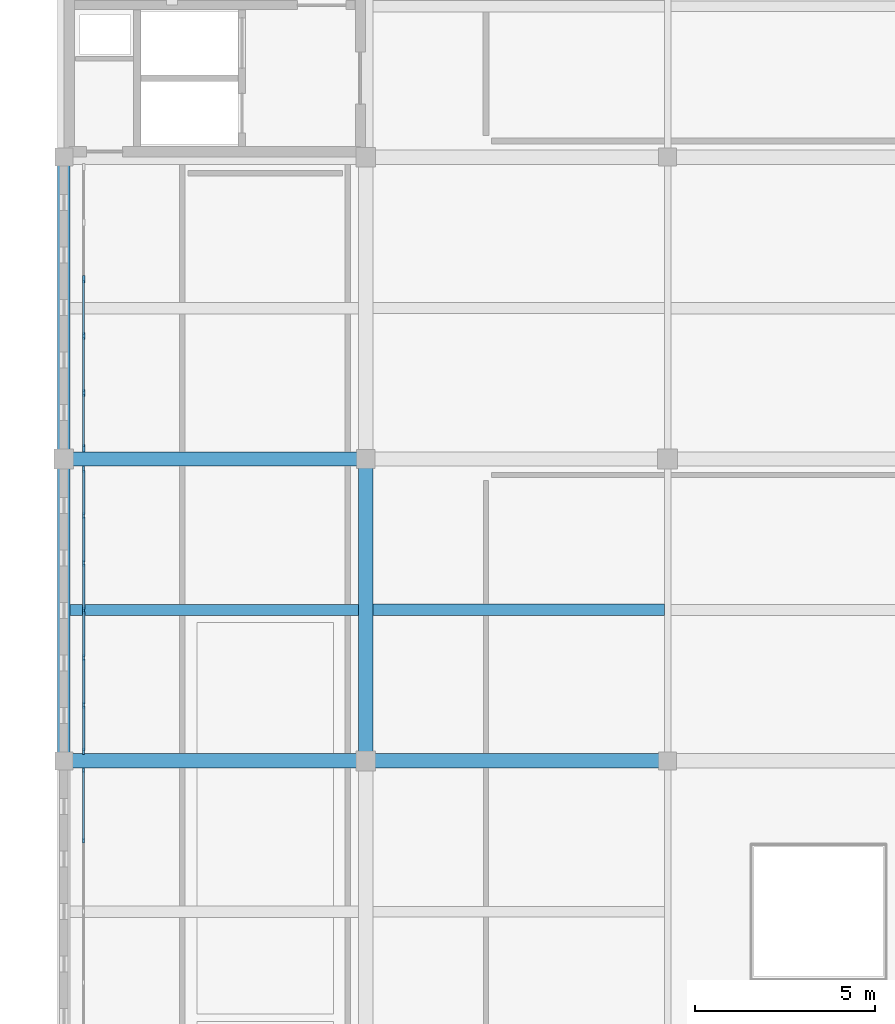
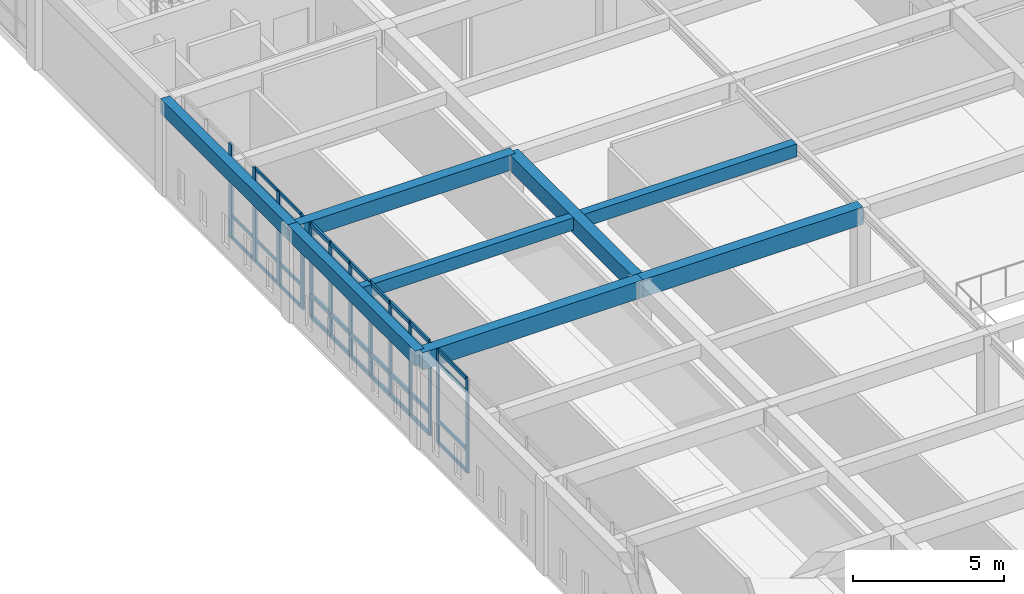
# One storey, part 10 of 36: 52 members, 8 beams, 3 elements without a shape of their own.
"""IFC4 building model written with IfcOpenShell, lengths in metres."""

from ifc_helpers import new_model, si_unit, direction, frame, origin, origin_2d, place, context, subcontext, project, spatial, rectangle, extrude, material, layer, layer_set, material_profile, profile_set, type_object, element, aggregate, save


model = new_model("IFC4")

# Units and contexts
model_context = context("Model", 3, precision=1e-05, world=origin(), true_north=direction((0.0, 1.0)))
body_context = subcontext(model_context, "Body", "Model", "MODEL_VIEW")
ifc_project = project(units=[si_unit("LENGTHUNIT", "METRE"), si_unit("AREAUNIT", "SQUARE_METRE"), si_unit("VOLUMEUNIT", "CUBIC_METRE"), si_unit("PLANEANGLEUNIT", "RADIAN"), si_unit("MASSUNIT", "GRAM", prefix="KILO")], contexts=[model_context])

# Site, building, storey
site_placement = place(None, origin())
site = spatial("IfcSite", under=ifc_project, at=site_placement, CompositionType="ELEMENT")
building_placement = place(site_placement, origin())
building = spatial("IfcBuilding", under=site, at=building_placement, Name="Kveldsbrygga Polytechnic", CompositionType="ELEMENT")
storey_placement = place(building_placement, frame((0.0, 0.0, 22.10009765625)))
storey = spatial("IfcBuildingStorey", under=building, at=storey_placement, Name="L05", CompositionType="ELEMENT", Elevation=22.10009765625)

# Beams
ifc_material_1 = material(Name="Concrete C35/45", Category="concrete")
ifc_material_profile_1 = material_profile(ifc_material_1, rectangle(XDim=0.3798828125, YDim=0.6201171875, at=origin_2d()), Name="RC 380x620")
ifc_profile_set_1 = profile_set([ifc_material_profile_1], Name="Concrete C35/45")
beam_type_1 = type_object("IfcBeamType", Name="BM-RC-380x620", PredefinedType="BEAM", material=ifc_profile_set_1)
beam_1_placement = place(storey_placement, frame((126.0, 75.60009765625, 3.469970703125), z_axis=(1.0, 0.0, 0.0), x_axis=(0.0, 1.0, 0.0)))
element("IfcBeam", 1, at=beam_1_placement, inside=storey, type_object=beam_type_1, Name="Primary Beam BMX-L05-15to16-09", PredefinedType="BEAM", context=body_context, shape_type="SweptSolid", body=[
    extrude(rectangle(XDim=0.3798828125, YDim=0.6201171875, at=origin_2d()), origin(), (0.0, 0.0, 1.0), 8.39990234375),
])
ifc_material_profile_2 = material_profile(ifc_material_1, rectangle(XDim=0.39990234375, YDim=0.64990234375, at=origin_2d()), Name="RC 400x650")
ifc_profile_set_2 = profile_set([ifc_material_profile_2], Name="Concrete C35/45")
beam_type_2 = type_object("IfcBeamType", Name="BM-RC-400x650", PredefinedType="BEAM", material=ifc_profile_set_2)
beam_2_placement = place(storey_placement, frame((134.39990234375, 67.199951171875, 3.454833984375), z_axis=(0.0, 1.0, 0.0), x_axis=(-1.0, 0.0, 0.0)))
element("IfcBeam", 2, at=beam_2_placement, inside=storey, type_object=beam_type_2, Name="Primary Beam BMY-L05-16-08to09", PredefinedType="BEAM", context=body_context, shape_type="SweptSolid", body=[
    extrude(rectangle(XDim=0.39990234375, YDim=0.64990234375, at=origin_2d()), origin(), (0.0, 0.0, 1.0), 8.400146484375),
])
ifc_material_profile_3 = material_profile(ifc_material_1, rectangle(XDim=0.39990234375, YDim=0.699951171875, at=origin_2d()), Name="RC 400x700")
ifc_profile_set_3 = profile_set([ifc_material_profile_3], Name="Concrete C35/45")
beam_type_3 = type_object("IfcBeamType", Name="BM-RC-400x700", PredefinedType="BEAM", material=ifc_profile_set_3)
beam_3_placement = place(storey_placement, frame((126.0, 67.199951171875, 3.429931640625), z_axis=(1.0, 0.0, 0.0), x_axis=(0.0, 1.0, 0.0)))
element("IfcBeam", 3, at=beam_3_placement, inside=storey, type_object=beam_type_3, Name="Primary Beam BMX-L05-15to16-08", PredefinedType="BEAM", context=body_context, shape_type="SweptSolid", body=[
    extrude(rectangle(XDim=0.39990234375, YDim=0.699951171875, at=origin_2d()), origin(), (0.0, 0.0, 1.0), 8.39990234375),
])
beam_4_placement = place(storey_placement, frame((134.39990234375, 67.199951171875, 3.429931640625), z_axis=(1.0, 0.0, 0.0), x_axis=(0.0, 1.0, 0.0)))
element("IfcBeam", 4, at=beam_4_placement, inside=storey, type_object=beam_type_3, Name="Primary Beam BMX-L05-16to17-08", PredefinedType="BEAM", context=body_context, shape_type="SweptSolid", body=[
    extrude(rectangle(XDim=0.39990234375, YDim=0.699951171875, at=origin_2d()), origin(), (0.0, 0.0, 1.0), 8.400146484375),
])
ifc_material_profile_4 = material_profile(ifc_material_1, rectangle(XDim=0.35009765625, YDim=0.60009765625, at=origin_2d()), Name="RC 350x600")
ifc_profile_set_4 = profile_set([ifc_material_profile_4], Name="Concrete C35/45")
beam_type_4 = type_object("IfcBeamType", Name="BM-SPANDREL-600", PredefinedType="T_BEAM", material=ifc_profile_set_4)
beam_5_placement = place(storey_placement, frame((126.0, 67.199951171875, 3.47998046875), z_axis=(0.0, 1.0, 0.0), x_axis=(-1.0, 0.0, 0.0)))
element("IfcBeam", 5, at=beam_5_placement, inside=storey, type_object=beam_type_4, Name="Primary Beam BMY-L05-15-08to09", PredefinedType="T_BEAM", context=body_context, shape_type="SweptSolid", body=[
    extrude(rectangle(XDim=0.35009765625, YDim=0.60009765625, at=origin_2d()), origin(), (0.0, 0.0, 1.0), 8.400146484375),
])
beam_6_placement = place(storey_placement, frame((126.0, 75.60009765625, 3.47998046875), z_axis=(0.0, 1.0, 0.0), x_axis=(-1.0, 0.0, 0.0)))
element("IfcBeam", 6, at=beam_6_placement, inside=storey, type_object=beam_type_4, Name="Primary Beam BMY-L05-15-09to10", PredefinedType="T_BEAM", context=body_context, shape_type="SweptSolid", body=[
    extrude(rectangle(XDim=0.35009765625, YDim=0.60009765625, at=origin_2d()), origin(), (0.0, 0.0, 1.0), 8.39990234375),
])

# Curtain wall, members
ifc_material_2 = material(Name="Anodised aluminium AW-6060", Category="aluminium")
ifc_layer_1 = layer(ifc_material_2, 0.199951171875)
ifc_layer_set_1 = layer_set([ifc_layer_1], Name="Anodised aluminium AW-6060")
curtain_wall_type_1 = type_object("IfcCurtainWallType", Name="CW-LANC-E", PredefinedType="USERDEFINED", material=ifc_layer_set_1)
curtain_wall_1_placement = place(storey_placement, origin())
curtain_wall_1 = element("IfcCurtainWall", 7, at=curtain_wall_1_placement, inside=storey, type_object=curtain_wall_type_1, Name="Curtain Wall CW-L05-Y-15-07", ObjectType="UNITISED CURTAIN WALL", PredefinedType="USERDEFINED")
ifc_material_profile_5 = material_profile(ifc_material_2, rectangle(XDim=0.06005859375, YDim=0.139892578125, at=origin_2d()), Name="ALU 60x140")
ifc_profile_set_5 = profile_set([ifc_material_profile_5], Name="Anodised aluminium AW-6060")
member_type_1 = type_object("IfcMemberType", Name="CW-MUL-140", PredefinedType="MULLION", material=ifc_profile_set_5)
member_1_placement = place(storey_placement, frame((126.550048828125, 64.98876953125, 0.0), z_axis=(0.0, 0.0, 1.0), x_axis=(-1.0, 0.0, 0.0)))
member_1 = element("IfcMember", 8, at=member_1_placement, type_object=member_type_1, Name="CW-05 mullion 4", PredefinedType="MULLION", context=body_context, shape_type="SweptSolid", body=[
    extrude(rectangle(XDim=0.06005859375, YDim=0.139892578125, at=origin_2d()), origin(), (0.0, 0.0, 1.0), 3.77978515625),
])
member_2_placement = place(storey_placement, frame((126.550048828125, 66.93505859375, 0.0), z_axis=(0.0, 0.0, 1.0), x_axis=(-1.0, 0.0, 0.0)))
member_2 = element("IfcMember", 9, at=member_2_placement, type_object=member_type_1, Name="CW-05 mullion 5", PredefinedType="MULLION", context=body_context, shape_type="SweptSolid", body=[
    extrude(rectangle(XDim=0.06005859375, YDim=0.139892578125, at=origin_2d()), origin(), (0.0, 0.0, 1.0), 3.77978515625),
])

ifc_layer_2 = layer(ifc_material_2, 0.169921875)
ifc_layer_set_2 = layer_set([ifc_layer_2], Name="Anodised aluminium AW-6060")
curtain_wall_type_2 = type_object("IfcCurtainWallType", Name="CW-FOYR-F", PredefinedType="USERDEFINED", material=ifc_layer_set_2)
curtain_wall_2_placement = place(storey_placement, origin())
curtain_wall_2 = element("IfcCurtainWall", 10, at=curtain_wall_2_placement, inside=storey, type_object=curtain_wall_type_2, Name="Curtain Wall CW-L05-Y-15-08", ObjectType="STICK CURTAIN WALL", PredefinedType="USERDEFINED")
ifc_material_profile_6 = material_profile(ifc_material_2, rectangle(XDim=0.06005859375, YDim=0.179931640625, at=origin_2d()), Name="ALU 60x180")
ifc_profile_set_6 = profile_set([ifc_material_profile_6], Name="Anodised aluminium AW-6060")
member_type_2 = type_object("IfcMemberType", Name="CW-MUL-180", PredefinedType="MULLION", material=ifc_profile_set_6)
member_3_placement = place(storey_placement, frame((126.550048828125, 67.465087890625, 0.0), z_axis=(0.0, 0.0, 1.0), x_axis=(-1.0, 0.0, 0.0)))
member_3 = element("IfcMember", 11, at=member_3_placement, type_object=member_type_2, Name="CW-06 mullion 1", PredefinedType="MULLION", context=body_context, shape_type="SweptSolid", body=[
    extrude(rectangle(XDim=0.06005859375, YDim=0.179931640625, at=origin_2d()), origin(), (0.0, 0.0, 1.0), 3.77978515625),
])
member_4_placement = place(storey_placement, frame((126.550048828125, 68.75244140625, 0.0), z_axis=(0.0, 0.0, 1.0), x_axis=(-1.0, 0.0, 0.0)))
member_4 = element("IfcMember", 12, at=member_4_placement, type_object=member_type_2, Name="CW-06 mullion 2", PredefinedType="MULLION", context=body_context, shape_type="SweptSolid", body=[
    extrude(rectangle(XDim=0.06005859375, YDim=0.179931640625, at=origin_2d()), origin(), (0.0, 0.0, 1.0), 3.77978515625),
])
member_5_placement = place(storey_placement, frame((126.550048828125, 70.070068359375, 0.0), z_axis=(0.0, 0.0, 1.0), x_axis=(-1.0, 0.0, 0.0)))
member_5 = element("IfcMember", 13, at=member_5_placement, type_object=member_type_2, Name="CW-06 mullion 3", PredefinedType="MULLION", context=body_context, shape_type="SweptSolid", body=[
    extrude(rectangle(XDim=0.06005859375, YDim=0.179931640625, at=origin_2d()), origin(), (0.0, 0.0, 1.0), 3.77978515625),
])
member_6_placement = place(storey_placement, frame((126.550048828125, 71.387451171875, 0.0), z_axis=(0.0, 0.0, 1.0), x_axis=(-1.0, 0.0, 0.0)))
member_6 = element("IfcMember", 14, at=member_6_placement, type_object=member_type_2, Name="CW-06 mullion 4", PredefinedType="MULLION", context=body_context, shape_type="SweptSolid", body=[
    extrude(rectangle(XDim=0.06005859375, YDim=0.179931640625, at=origin_2d()), origin(), (0.0, 0.0, 1.0), 3.77978515625),
])
member_7_placement = place(storey_placement, frame((126.550048828125, 72.705078125, 0.0), z_axis=(0.0, 0.0, 1.0), x_axis=(-1.0, 0.0, 0.0)))
member_7 = element("IfcMember", 15, at=member_7_placement, type_object=member_type_2, Name="CW-06 mullion 5", PredefinedType="MULLION", context=body_context, shape_type="SweptSolid", body=[
    extrude(rectangle(XDim=0.06005859375, YDim=0.179931640625, at=origin_2d()), origin(), (0.0, 0.0, 1.0), 3.77978515625),
])
member_8_placement = place(storey_placement, frame((126.550048828125, 74.0224609375, 0.0), z_axis=(0.0, 0.0, 1.0), x_axis=(-1.0, 0.0, 0.0)))
member_8 = element("IfcMember", 16, at=member_8_placement, type_object=member_type_2, Name="CW-06 mullion 6", PredefinedType="MULLION", context=body_context, shape_type="SweptSolid", body=[
    extrude(rectangle(XDim=0.06005859375, YDim=0.179931640625, at=origin_2d()), origin(), (0.0, 0.0, 1.0), 3.77978515625),
])
member_9_placement = place(storey_placement, frame((126.550048828125, 75.31005859375, 0.0), z_axis=(0.0, 0.0, 1.0), x_axis=(-1.0, 0.0, 0.0)))
member_9 = element("IfcMember", 17, at=member_9_placement, type_object=member_type_2, Name="CW-06 mullion 7", PredefinedType="MULLION", context=body_context, shape_type="SweptSolid", body=[
    extrude(rectangle(XDim=0.06005859375, YDim=0.179931640625, at=origin_2d()), origin(), (0.0, 0.0, 1.0), 3.77978515625),
])

ifc_layer_3 = layer(ifc_material_2, 0.18994140625)
ifc_layer_set_3 = layer_set([ifc_layer_3], Name="Anodised aluminium AW-6060")
curtain_wall_type_3 = type_object("IfcCurtainWallType", Name="CW-REFC-G", PredefinedType="USERDEFINED", material=ifc_layer_set_3)
curtain_wall_3_placement = place(storey_placement, origin())
curtain_wall_3 = element("IfcCurtainWall", 18, at=curtain_wall_3_placement, inside=storey, type_object=curtain_wall_type_3, Name="Curtain Wall CW-L05-Y-15-09", ObjectType="UNITISED CURTAIN WALL", PredefinedType="USERDEFINED")
ifc_material_profile_7 = material_profile(ifc_material_2, rectangle(XDim=0.074951171875, YDim=0.199951171875, at=origin_2d()), Name="ALU 75x200")
ifc_profile_set_7 = profile_set([ifc_material_profile_7], Name="Anodised aluminium AW-6060")
member_type_3 = type_object("IfcMemberType", Name="CW-MUL-200", PredefinedType="MULLION", material=ifc_profile_set_7)
member_10_placement = place(storey_placement, frame((126.550048828125, 75.8974609375, 0.0), z_axis=(0.0, 0.0, 1.0), x_axis=(-1.0, 0.0, 0.0)))
member_10 = element("IfcMember", 19, at=member_10_placement, type_object=member_type_3, Name="CW-07 mullion 1", PredefinedType="MULLION", context=body_context, shape_type="SweptSolid", body=[
    extrude(rectangle(XDim=0.074951171875, YDim=0.199951171875, at=origin_2d()), origin(), (0.0, 0.0, 1.0), 3.77978515625),
])
member_11_placement = place(storey_placement, frame((126.550048828125, 77.44091796875, 0.0), z_axis=(0.0, 0.0, 1.0), x_axis=(-1.0, 0.0, 0.0)))
member_11 = element("IfcMember", 20, at=member_11_placement, type_object=member_type_3, Name="CW-07 mullion 2", PredefinedType="MULLION", context=body_context, shape_type="SweptSolid", body=[
    extrude(rectangle(XDim=0.074951171875, YDim=0.199951171875, at=origin_2d()), origin(), (0.0, 0.0, 1.0), 3.77978515625),
])
member_12_placement = place(storey_placement, frame((126.550048828125, 79.02197265625, 0.0), z_axis=(0.0, 0.0, 1.0), x_axis=(-1.0, 0.0, 0.0)))
member_12 = element("IfcMember", 21, at=member_12_placement, type_object=member_type_3, Name="CW-07 mullion 3", PredefinedType="MULLION", context=body_context, shape_type="SweptSolid", body=[
    extrude(rectangle(XDim=0.074951171875, YDim=0.199951171875, at=origin_2d()), origin(), (0.0, 0.0, 1.0), 3.77978515625),
])
member_13_placement = place(storey_placement, frame((126.550048828125, 80.60302734375, 0.0), z_axis=(0.0, 0.0, 1.0), x_axis=(-1.0, 0.0, 0.0)))
member_13 = element("IfcMember", 22, at=member_13_placement, type_object=member_type_3, Name="CW-07 mullion 4", PredefinedType="MULLION", context=body_context, shape_type="SweptSolid", body=[
    extrude(rectangle(XDim=0.074951171875, YDim=0.199951171875, at=origin_2d()), origin(), (0.0, 0.0, 1.0), 3.77978515625),
])
ifc_material_profile_8 = material_profile(ifc_material_2, rectangle(XDim=0.06005859375, YDim=0.1201171875, at=origin_2d()), Name="ALU 60x120")
ifc_profile_set_8 = profile_set([ifc_material_profile_8], Name="Anodised aluminium AW-6060")
member_type_4 = type_object("IfcMemberType", Name="CW-TRN-120", PredefinedType="USERDEFINED", material=ifc_profile_set_8)
member_14_placement = place(storey_placement, frame((126.550048828125, 75.93505859375, 0.02978515625), z_axis=(0.0, 1.0, 0.0), x_axis=(-1.0, 0.0, 0.0)))
member_14 = element("IfcMember", 23, at=member_14_placement, type_object=member_type_4, Name="CW-07 transom 1.1", ObjectType="TRANSOM", PredefinedType="USERDEFINED", context=body_context, shape_type="SweptSolid", body=[
    extrude(rectangle(XDim=0.06005859375, YDim=0.1201171875, at=origin_2d()), origin(), (0.0, 0.0, 1.0), 1.468505859375),
])
member_15_placement = place(storey_placement, frame((126.550048828125, 75.93505859375, 0.89990234375), z_axis=(0.0, 1.0, 0.0), x_axis=(-1.0, 0.0, 0.0)))
member_15 = element("IfcMember", 24, at=member_15_placement, type_object=member_type_4, Name="CW-07 transom 1.2", ObjectType="TRANSOM", PredefinedType="USERDEFINED", context=body_context, shape_type="SweptSolid", body=[
    extrude(rectangle(XDim=0.06005859375, YDim=0.1201171875, at=origin_2d()), origin(), (0.0, 0.0, 1.0), 1.468505859375),
])
member_16_placement = place(storey_placement, frame((126.550048828125, 75.93505859375, 3.22998046875), z_axis=(0.0, 1.0, 0.0), x_axis=(-1.0, 0.0, 0.0)))
member_16 = element("IfcMember", 25, at=member_16_placement, type_object=member_type_4, Name="CW-07 transom 1.3", ObjectType="TRANSOM", PredefinedType="USERDEFINED", context=body_context, shape_type="SweptSolid", body=[
    extrude(rectangle(XDim=0.06005859375, YDim=0.1201171875, at=origin_2d()), origin(), (0.0, 0.0, 1.0), 1.468505859375),
])
member_17_placement = place(storey_placement, frame((126.550048828125, 75.93505859375, 3.75), z_axis=(0.0, 1.0, 0.0), x_axis=(-1.0, 0.0, 0.0)))
member_17 = element("IfcMember", 26, at=member_17_placement, type_object=member_type_4, Name="CW-07 transom 1.4", ObjectType="TRANSOM", PredefinedType="USERDEFINED", context=body_context, shape_type="SweptSolid", body=[
    extrude(rectangle(XDim=0.06005859375, YDim=0.1201171875, at=origin_2d()), origin(), (0.0, 0.0, 1.0), 1.468505859375),
])
member_18_placement = place(storey_placement, frame((126.550048828125, 77.478515625, 0.02978515625), z_axis=(0.0, 1.0, 0.0), x_axis=(-1.0, 0.0, 0.0)))
member_18 = element("IfcMember", 27, at=member_18_placement, type_object=member_type_4, Name="CW-07 transom 2.1", ObjectType="TRANSOM", PredefinedType="USERDEFINED", context=body_context, shape_type="SweptSolid", body=[
    extrude(rectangle(XDim=0.06005859375, YDim=0.1201171875, at=origin_2d()), origin(), (0.0, 0.0, 1.0), 1.506103515625),
])
member_19_placement = place(storey_placement, frame((126.550048828125, 77.478515625, 0.89990234375), z_axis=(0.0, 1.0, 0.0), x_axis=(-1.0, 0.0, 0.0)))
member_19 = element("IfcMember", 28, at=member_19_placement, type_object=member_type_4, Name="CW-07 transom 2.2", ObjectType="TRANSOM", PredefinedType="USERDEFINED", context=body_context, shape_type="SweptSolid", body=[
    extrude(rectangle(XDim=0.06005859375, YDim=0.1201171875, at=origin_2d()), origin(), (0.0, 0.0, 1.0), 1.506103515625),
])
member_20_placement = place(storey_placement, frame((126.550048828125, 77.478515625, 3.22998046875), z_axis=(0.0, 1.0, 0.0), x_axis=(-1.0, 0.0, 0.0)))
member_20 = element("IfcMember", 29, at=member_20_placement, type_object=member_type_4, Name="CW-07 transom 2.3", ObjectType="TRANSOM", PredefinedType="USERDEFINED", context=body_context, shape_type="SweptSolid", body=[
    extrude(rectangle(XDim=0.06005859375, YDim=0.1201171875, at=origin_2d()), origin(), (0.0, 0.0, 1.0), 1.506103515625),
])
member_21_placement = place(storey_placement, frame((126.550048828125, 77.478515625, 3.75), z_axis=(0.0, 1.0, 0.0), x_axis=(-1.0, 0.0, 0.0)))
member_21 = element("IfcMember", 30, at=member_21_placement, type_object=member_type_4, Name="CW-07 transom 2.4", ObjectType="TRANSOM", PredefinedType="USERDEFINED", context=body_context, shape_type="SweptSolid", body=[
    extrude(rectangle(XDim=0.06005859375, YDim=0.1201171875, at=origin_2d()), origin(), (0.0, 0.0, 1.0), 1.506103515625),
])
member_22_placement = place(storey_placement, frame((126.550048828125, 79.0595703125, 0.02978515625), z_axis=(0.0, 1.0, 0.0), x_axis=(-1.0, 0.0, 0.0)))
member_22 = element("IfcMember", 31, at=member_22_placement, type_object=member_type_4, Name="CW-07 transom 3.1", ObjectType="TRANSOM", PredefinedType="USERDEFINED", context=body_context, shape_type="SweptSolid", body=[
    extrude(rectangle(XDim=0.06005859375, YDim=0.1201171875, at=origin_2d()), origin(), (0.0, 0.0, 1.0), 1.505859375),
])
member_23_placement = place(storey_placement, frame((126.550048828125, 79.0595703125, 0.89990234375), z_axis=(0.0, 1.0, 0.0), x_axis=(-1.0, 0.0, 0.0)))
member_23 = element("IfcMember", 32, at=member_23_placement, type_object=member_type_4, Name="CW-07 transom 3.2", ObjectType="TRANSOM", PredefinedType="USERDEFINED", context=body_context, shape_type="SweptSolid", body=[
    extrude(rectangle(XDim=0.06005859375, YDim=0.1201171875, at=origin_2d()), origin(), (0.0, 0.0, 1.0), 1.505859375),
])
member_24_placement = place(storey_placement, frame((126.550048828125, 79.0595703125, 3.22998046875), z_axis=(0.0, 1.0, 0.0), x_axis=(-1.0, 0.0, 0.0)))
member_24 = element("IfcMember", 33, at=member_24_placement, type_object=member_type_4, Name="CW-07 transom 3.3", ObjectType="TRANSOM", PredefinedType="USERDEFINED", context=body_context, shape_type="SweptSolid", body=[
    extrude(rectangle(XDim=0.06005859375, YDim=0.1201171875, at=origin_2d()), origin(), (0.0, 0.0, 1.0), 1.505859375),
])
aggregate(curtain_wall_3, [member_10, member_11, member_12, member_13, member_14, member_15, member_16, member_17, member_18, member_19, member_20, member_21, member_22, member_23, member_24])

# Member
ifc_material_profile_9 = material_profile(ifc_material_2, rectangle(XDim=0.06005859375, YDim=0.14990234375, at=origin_2d()), Name="ALU 60x150")
ifc_profile_set_9 = profile_set([ifc_material_profile_9], Name="Anodised aluminium AW-6060")
member_type_5 = type_object("IfcMemberType", Name="CW-TRN-150", PredefinedType="USERDEFINED", material=ifc_profile_set_9)
member_25_placement = place(storey_placement, frame((126.550048828125, 65.018798828125, 0.02978515625), z_axis=(0.0, 1.0, 0.0), x_axis=(-1.0, 0.0, 0.0)))
member_25 = element("IfcMember", 34, at=member_25_placement, type_object=member_type_5, Name="CW-05 transom 4.1", ObjectType="TRANSOM", PredefinedType="USERDEFINED", context=body_context, shape_type="SweptSolid", body=[
    extrude(rectangle(XDim=0.06005859375, YDim=0.14990234375, at=origin_2d()), origin(), (0.0, 0.0, 1.0), 1.88623046875),
])

member_26_placement = place(storey_placement, frame((126.550048828125, 65.018798828125, 0.89990234375), z_axis=(0.0, 1.0, 0.0), x_axis=(-1.0, 0.0, 0.0)))
member_26 = element("IfcMember", 35, at=member_26_placement, type_object=member_type_5, Name="CW-05 transom 4.2", ObjectType="TRANSOM", PredefinedType="USERDEFINED", context=body_context, shape_type="SweptSolid", body=[
    extrude(rectangle(XDim=0.06005859375, YDim=0.14990234375, at=origin_2d()), origin(), (0.0, 0.0, 1.0), 1.88623046875),
])

member_27_placement = place(storey_placement, frame((126.550048828125, 65.018798828125, 3.22998046875), z_axis=(0.0, 1.0, 0.0), x_axis=(-1.0, 0.0, 0.0)))
member_27 = element("IfcMember", 36, at=member_27_placement, type_object=member_type_5, Name="CW-05 transom 4.3", ObjectType="TRANSOM", PredefinedType="USERDEFINED", context=body_context, shape_type="SweptSolid", body=[
    extrude(rectangle(XDim=0.06005859375, YDim=0.14990234375, at=origin_2d()), origin(), (0.0, 0.0, 1.0), 1.88623046875),
])

member_28_placement = place(storey_placement, frame((126.550048828125, 65.018798828125, 3.75), z_axis=(0.0, 1.0, 0.0), x_axis=(-1.0, 0.0, 0.0)))
member_28 = element("IfcMember", 37, at=member_28_placement, type_object=member_type_5, Name="CW-05 transom 4.4", ObjectType="TRANSOM", PredefinedType="USERDEFINED", context=body_context, shape_type="SweptSolid", body=[
    extrude(rectangle(XDim=0.06005859375, YDim=0.14990234375, at=origin_2d()), origin(), (0.0, 0.0, 1.0), 1.88623046875),
])

aggregate(curtain_wall_1, [member_1, member_2, member_25, member_26, member_27, member_28])

ifc_material_profile_10 = material_profile(ifc_material_2, rectangle(XDim=0.074951171875, YDim=0.159912109375, at=origin_2d()), Name="ALU 75x160")
ifc_profile_set_10 = profile_set([ifc_material_profile_10], Name="Anodised aluminium AW-6060")
member_type_6 = type_object("IfcMemberType", Name="CW-TRN-160", PredefinedType="USERDEFINED", material=ifc_profile_set_10)
member_29_placement = place(storey_placement, frame((126.550048828125, 67.4951171875, 0.037353515625), z_axis=(0.0, 1.0, 0.0), x_axis=(-1.0, 0.0, 0.0)))
member_29 = element("IfcMember", 38, at=member_29_placement, type_object=member_type_6, Name="CW-06 transom 1.1", ObjectType="TRANSOM", PredefinedType="USERDEFINED", context=body_context, shape_type="SweptSolid", body=[
    extrude(rectangle(XDim=0.074951171875, YDim=0.159912109375, at=origin_2d()), origin(), (0.0, 0.0, 1.0), 1.227294921875),
])

member_30_placement = place(storey_placement, frame((126.550048828125, 67.4951171875, 0.89990234375), z_axis=(0.0, 1.0, 0.0), x_axis=(-1.0, 0.0, 0.0)))
member_30 = element("IfcMember", 39, at=member_30_placement, type_object=member_type_6, Name="CW-06 transom 1.2", ObjectType="TRANSOM", PredefinedType="USERDEFINED", context=body_context, shape_type="SweptSolid", body=[
    extrude(rectangle(XDim=0.074951171875, YDim=0.159912109375, at=origin_2d()), origin(), (0.0, 0.0, 1.0), 1.227294921875),
])

member_31_placement = place(storey_placement, frame((126.550048828125, 67.4951171875, 3.22998046875), z_axis=(0.0, 1.0, 0.0), x_axis=(-1.0, 0.0, 0.0)))
member_31 = element("IfcMember", 40, at=member_31_placement, type_object=member_type_6, Name="CW-06 transom 1.3", ObjectType="TRANSOM", PredefinedType="USERDEFINED", context=body_context, shape_type="SweptSolid", body=[
    extrude(rectangle(XDim=0.074951171875, YDim=0.159912109375, at=origin_2d()), origin(), (0.0, 0.0, 1.0), 1.227294921875),
])

member_32_placement = place(storey_placement, frame((126.550048828125, 67.4951171875, 3.742431640625), z_axis=(0.0, 1.0, 0.0), x_axis=(-1.0, 0.0, 0.0)))
member_32 = element("IfcMember", 41, at=member_32_placement, type_object=member_type_6, Name="CW-06 transom 1.4", ObjectType="TRANSOM", PredefinedType="USERDEFINED", context=body_context, shape_type="SweptSolid", body=[
    extrude(rectangle(XDim=0.074951171875, YDim=0.159912109375, at=origin_2d()), origin(), (0.0, 0.0, 1.0), 1.227294921875),
])

member_33_placement = place(storey_placement, frame((126.550048828125, 68.782470703125, 0.037353515625), z_axis=(0.0, 1.0, 0.0), x_axis=(-1.0, 0.0, 0.0)))
member_33 = element("IfcMember", 42, at=member_33_placement, type_object=member_type_6, Name="CW-06 transom 2.1", ObjectType="TRANSOM", PredefinedType="USERDEFINED", context=body_context, shape_type="SweptSolid", body=[
    extrude(rectangle(XDim=0.074951171875, YDim=0.159912109375, at=origin_2d()), origin(), (0.0, 0.0, 1.0), 1.257568359375),
])

member_34_placement = place(storey_placement, frame((126.550048828125, 68.782470703125, 0.89990234375), z_axis=(0.0, 1.0, 0.0), x_axis=(-1.0, 0.0, 0.0)))
member_34 = element("IfcMember", 43, at=member_34_placement, type_object=member_type_6, Name="CW-06 transom 2.2", ObjectType="TRANSOM", PredefinedType="USERDEFINED", context=body_context, shape_type="SweptSolid", body=[
    extrude(rectangle(XDim=0.074951171875, YDim=0.159912109375, at=origin_2d()), origin(), (0.0, 0.0, 1.0), 1.257568359375),
])

member_35_placement = place(storey_placement, frame((126.550048828125, 68.782470703125, 3.22998046875), z_axis=(0.0, 1.0, 0.0), x_axis=(-1.0, 0.0, 0.0)))
member_35 = element("IfcMember", 44, at=member_35_placement, type_object=member_type_6, Name="CW-06 transom 2.3", ObjectType="TRANSOM", PredefinedType="USERDEFINED", context=body_context, shape_type="SweptSolid", body=[
    extrude(rectangle(XDim=0.074951171875, YDim=0.159912109375, at=origin_2d()), origin(), (0.0, 0.0, 1.0), 1.257568359375),
])

member_36_placement = place(storey_placement, frame((126.550048828125, 68.782470703125, 3.742431640625), z_axis=(0.0, 1.0, 0.0), x_axis=(-1.0, 0.0, 0.0)))
member_36 = element("IfcMember", 45, at=member_36_placement, type_object=member_type_6, Name="CW-06 transom 2.4", ObjectType="TRANSOM", PredefinedType="USERDEFINED", context=body_context, shape_type="SweptSolid", body=[
    extrude(rectangle(XDim=0.074951171875, YDim=0.159912109375, at=origin_2d()), origin(), (0.0, 0.0, 1.0), 1.257568359375),
])

member_37_placement = place(storey_placement, frame((126.550048828125, 70.10009765625, 0.037353515625), z_axis=(0.0, 1.0, 0.0), x_axis=(-1.0, 0.0, 0.0)))
member_37 = element("IfcMember", 46, at=member_37_placement, type_object=member_type_6, Name="CW-06 transom 3.1", ObjectType="TRANSOM", PredefinedType="USERDEFINED", context=body_context, shape_type="SweptSolid", body=[
    extrude(rectangle(XDim=0.074951171875, YDim=0.159912109375, at=origin_2d()), origin(), (0.0, 0.0, 1.0), 1.25732421875),
])

member_38_placement = place(storey_placement, frame((126.550048828125, 70.10009765625, 0.89990234375), z_axis=(0.0, 1.0, 0.0), x_axis=(-1.0, 0.0, 0.0)))
member_38 = element("IfcMember", 47, at=member_38_placement, type_object=member_type_6, Name="CW-06 transom 3.2", ObjectType="TRANSOM", PredefinedType="USERDEFINED", context=body_context, shape_type="SweptSolid", body=[
    extrude(rectangle(XDim=0.074951171875, YDim=0.159912109375, at=origin_2d()), origin(), (0.0, 0.0, 1.0), 1.25732421875),
])

member_39_placement = place(storey_placement, frame((126.550048828125, 70.10009765625, 3.22998046875), z_axis=(0.0, 1.0, 0.0), x_axis=(-1.0, 0.0, 0.0)))
member_39 = element("IfcMember", 48, at=member_39_placement, type_object=member_type_6, Name="CW-06 transom 3.3", ObjectType="TRANSOM", PredefinedType="USERDEFINED", context=body_context, shape_type="SweptSolid", body=[
    extrude(rectangle(XDim=0.074951171875, YDim=0.159912109375, at=origin_2d()), origin(), (0.0, 0.0, 1.0), 1.25732421875),
])

member_40_placement = place(storey_placement, frame((126.550048828125, 70.10009765625, 3.742431640625), z_axis=(0.0, 1.0, 0.0), x_axis=(-1.0, 0.0, 0.0)))
member_40 = element("IfcMember", 49, at=member_40_placement, type_object=member_type_6, Name="CW-06 transom 3.4", ObjectType="TRANSOM", PredefinedType="USERDEFINED", context=body_context, shape_type="SweptSolid", body=[
    extrude(rectangle(XDim=0.074951171875, YDim=0.159912109375, at=origin_2d()), origin(), (0.0, 0.0, 1.0), 1.25732421875),
])

member_41_placement = place(storey_placement, frame((126.550048828125, 71.41748046875, 0.037353515625), z_axis=(0.0, 1.0, 0.0), x_axis=(-1.0, 0.0, 0.0)))
member_41 = element("IfcMember", 50, at=member_41_placement, type_object=member_type_6, Name="CW-06 transom 4.1", ObjectType="TRANSOM", PredefinedType="USERDEFINED", context=body_context, shape_type="SweptSolid", body=[
    extrude(rectangle(XDim=0.074951171875, YDim=0.159912109375, at=origin_2d()), origin(), (0.0, 0.0, 1.0), 1.257568359375),
])

member_42_placement = place(storey_placement, frame((126.550048828125, 71.41748046875, 0.89990234375), z_axis=(0.0, 1.0, 0.0), x_axis=(-1.0, 0.0, 0.0)))
member_42 = element("IfcMember", 51, at=member_42_placement, type_object=member_type_6, Name="CW-06 transom 4.2", ObjectType="TRANSOM", PredefinedType="USERDEFINED", context=body_context, shape_type="SweptSolid", body=[
    extrude(rectangle(XDim=0.074951171875, YDim=0.159912109375, at=origin_2d()), origin(), (0.0, 0.0, 1.0), 1.257568359375),
])

member_43_placement = place(storey_placement, frame((126.550048828125, 71.41748046875, 3.22998046875), z_axis=(0.0, 1.0, 0.0), x_axis=(-1.0, 0.0, 0.0)))
member_43 = element("IfcMember", 52, at=member_43_placement, type_object=member_type_6, Name="CW-06 transom 4.3", ObjectType="TRANSOM", PredefinedType="USERDEFINED", context=body_context, shape_type="SweptSolid", body=[
    extrude(rectangle(XDim=0.074951171875, YDim=0.159912109375, at=origin_2d()), origin(), (0.0, 0.0, 1.0), 1.257568359375),
])

member_44_placement = place(storey_placement, frame((126.550048828125, 71.41748046875, 3.742431640625), z_axis=(0.0, 1.0, 0.0), x_axis=(-1.0, 0.0, 0.0)))
member_44 = element("IfcMember", 53, at=member_44_placement, type_object=member_type_6, Name="CW-06 transom 4.4", ObjectType="TRANSOM", PredefinedType="USERDEFINED", context=body_context, shape_type="SweptSolid", body=[
    extrude(rectangle(XDim=0.074951171875, YDim=0.159912109375, at=origin_2d()), origin(), (0.0, 0.0, 1.0), 1.257568359375),
])

member_45_placement = place(storey_placement, frame((126.550048828125, 72.735107421875, 0.037353515625), z_axis=(0.0, 1.0, 0.0), x_axis=(-1.0, 0.0, 0.0)))
member_45 = element("IfcMember", 54, at=member_45_placement, type_object=member_type_6, Name="CW-06 transom 5.1", ObjectType="TRANSOM", PredefinedType="USERDEFINED", context=body_context, shape_type="SweptSolid", body=[
    extrude(rectangle(XDim=0.074951171875, YDim=0.159912109375, at=origin_2d()), origin(), (0.0, 0.0, 1.0), 1.25732421875),
])

member_46_placement = place(storey_placement, frame((126.550048828125, 72.735107421875, 0.89990234375), z_axis=(0.0, 1.0, 0.0), x_axis=(-1.0, 0.0, 0.0)))
member_46 = element("IfcMember", 55, at=member_46_placement, type_object=member_type_6, Name="CW-06 transom 5.2", ObjectType="TRANSOM", PredefinedType="USERDEFINED", context=body_context, shape_type="SweptSolid", body=[
    extrude(rectangle(XDim=0.074951171875, YDim=0.159912109375, at=origin_2d()), origin(), (0.0, 0.0, 1.0), 1.25732421875),
])

member_47_placement = place(storey_placement, frame((126.550048828125, 72.735107421875, 3.22998046875), z_axis=(0.0, 1.0, 0.0), x_axis=(-1.0, 0.0, 0.0)))
member_47 = element("IfcMember", 56, at=member_47_placement, type_object=member_type_6, Name="CW-06 transom 5.3", ObjectType="TRANSOM", PredefinedType="USERDEFINED", context=body_context, shape_type="SweptSolid", body=[
    extrude(rectangle(XDim=0.074951171875, YDim=0.159912109375, at=origin_2d()), origin(), (0.0, 0.0, 1.0), 1.25732421875),
])

member_48_placement = place(storey_placement, frame((126.550048828125, 72.735107421875, 3.742431640625), z_axis=(0.0, 1.0, 0.0), x_axis=(-1.0, 0.0, 0.0)))
member_48 = element("IfcMember", 57, at=member_48_placement, type_object=member_type_6, Name="CW-06 transom 5.4", ObjectType="TRANSOM", PredefinedType="USERDEFINED", context=body_context, shape_type="SweptSolid", body=[
    extrude(rectangle(XDim=0.074951171875, YDim=0.159912109375, at=origin_2d()), origin(), (0.0, 0.0, 1.0), 1.25732421875),
])

member_49_placement = place(storey_placement, frame((126.550048828125, 74.052490234375, 0.037353515625), z_axis=(0.0, 1.0, 0.0), x_axis=(-1.0, 0.0, 0.0)))
member_49 = element("IfcMember", 58, at=member_49_placement, type_object=member_type_6, Name="CW-06 transom 6.1", ObjectType="TRANSOM", PredefinedType="USERDEFINED", context=body_context, shape_type="SweptSolid", body=[
    extrude(rectangle(XDim=0.074951171875, YDim=0.159912109375, at=origin_2d()), origin(), (0.0, 0.0, 1.0), 1.2275390625),
])

member_50_placement = place(storey_placement, frame((126.550048828125, 74.052490234375, 0.89990234375), z_axis=(0.0, 1.0, 0.0), x_axis=(-1.0, 0.0, 0.0)))
member_50 = element("IfcMember", 59, at=member_50_placement, type_object=member_type_6, Name="CW-06 transom 6.2", ObjectType="TRANSOM", PredefinedType="USERDEFINED", context=body_context, shape_type="SweptSolid", body=[
    extrude(rectangle(XDim=0.074951171875, YDim=0.159912109375, at=origin_2d()), origin(), (0.0, 0.0, 1.0), 1.2275390625),
])

member_51_placement = place(storey_placement, frame((126.550048828125, 74.052490234375, 3.22998046875), z_axis=(0.0, 1.0, 0.0), x_axis=(-1.0, 0.0, 0.0)))
member_51 = element("IfcMember", 60, at=member_51_placement, type_object=member_type_6, Name="CW-06 transom 6.3", ObjectType="TRANSOM", PredefinedType="USERDEFINED", context=body_context, shape_type="SweptSolid", body=[
    extrude(rectangle(XDim=0.074951171875, YDim=0.159912109375, at=origin_2d()), origin(), (0.0, 0.0, 1.0), 1.2275390625),
])

member_52_placement = place(storey_placement, frame((126.550048828125, 74.052490234375, 3.742431640625), z_axis=(0.0, 1.0, 0.0), x_axis=(-1.0, 0.0, 0.0)))
member_52 = element("IfcMember", 61, at=member_52_placement, type_object=member_type_6, Name="CW-06 transom 6.4", ObjectType="TRANSOM", PredefinedType="USERDEFINED", context=body_context, shape_type="SweptSolid", body=[
    extrude(rectangle(XDim=0.074951171875, YDim=0.159912109375, at=origin_2d()), origin(), (0.0, 0.0, 1.0), 1.2275390625),
])

aggregate(curtain_wall_2, [member_3, member_4, member_5, member_6, member_7, member_8, member_9, member_29, member_30, member_31, member_32, member_33, member_34, member_35, member_36, member_37, member_38, member_39, member_40, member_41, member_42, member_43, member_44, member_45, member_46, member_47, member_48, member_49, member_50, member_51, member_52])

# Beams
ifc_material_profile_11 = material_profile(ifc_material_1, rectangle(XDim=0.300048828125, YDim=0.5, at=origin_2d()), Name="RC 300x500")
ifc_profile_set_11 = profile_set([ifc_material_profile_11], Name="Concrete C35/45")
beam_type_5 = type_object("IfcBeamType", Name="JST-RC-300x500", PredefinedType="JOIST", material=ifc_profile_set_11)
beam_7_placement = place(storey_placement, frame((126.175048828125, 71.39990234375, 3.52978515625), z_axis=(1.0, 0.0, 0.0), x_axis=(0.0, 1.0, 0.0)))
element("IfcBeam", 62, at=beam_7_placement, inside=storey, type_object=beam_type_5, Name="Secondary Joist JST-L05-15-08", PredefinedType="JOIST", context=body_context, shape_type="SweptSolid", body=[
    extrude(rectangle(XDim=0.300048828125, YDim=0.5, at=origin_2d()), origin(), (0.0, 0.0, 1.0), 8.02490234375),
])
ifc_material_profile_12 = material_profile(ifc_material_1, rectangle(XDim=0.320068359375, YDim=0.52001953125, at=origin_2d()), Name="RC 320x520")
ifc_profile_set_12 = profile_set([ifc_material_profile_12], Name="Concrete C35/45")
beam_type_6 = type_object("IfcBeamType", Name="JST-RC-320x520", PredefinedType="JOIST", material=ifc_profile_set_12)
beam_8_placement = place(storey_placement, frame((134.60009765625, 71.39990234375, 3.52001953125), z_axis=(1.0, 0.0, 0.0), x_axis=(0.0, 1.0, 0.0)))
element("IfcBeam", 63, at=beam_8_placement, inside=storey, type_object=beam_type_6, Name="Secondary Joist JST-L05-16-08", PredefinedType="JOIST", context=body_context, shape_type="SweptSolid", body=[
    extrude(rectangle(XDim=0.320068359375, YDim=0.52001953125, at=origin_2d()), origin(), (0.0, 0.0, 1.0), 8.10986328125),
])

save(model, "model.ifc")
